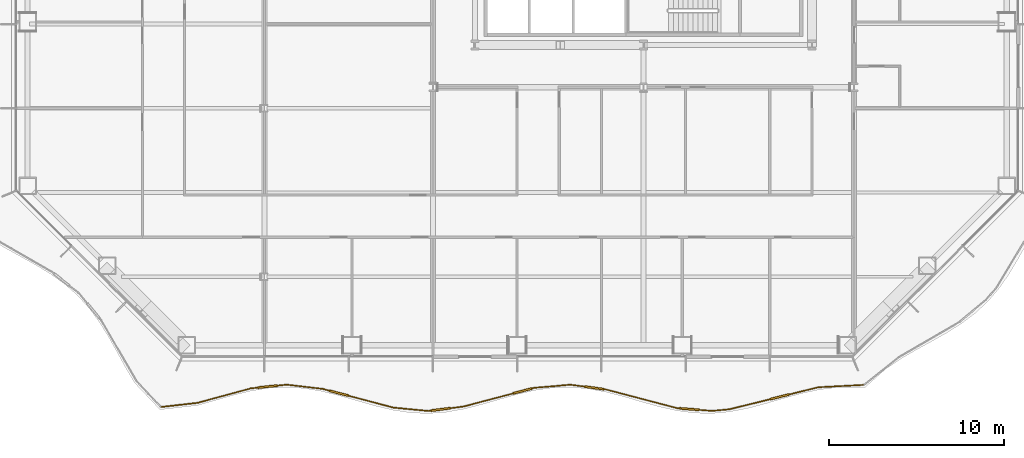
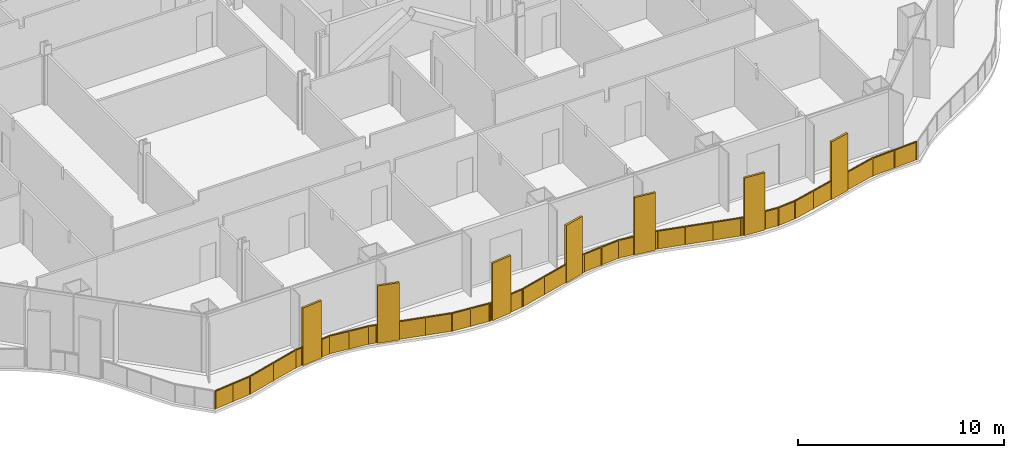
# One storey, part 16 of 21: 1 railing.
"""IFC4 building model written with IfcOpenShell, lengths in metres."""

from ifc_helpers import new_model, si_unit, direction, frame, origin, origin_2d, place, context, subcontext, project, spatial, polyline, rectangle, outline, extrude, material, type_object, element, save


model = new_model("IFC4")

# Units and contexts
model_context = context("Model", 3, precision=1e-05, world=origin(), true_north=direction((0.0, 1.0)))
body_context = subcontext(model_context, "Body", "Model", "MODEL_VIEW")
ifc_project = project(units=[si_unit("LENGTHUNIT", "METRE"), si_unit("AREAUNIT", "SQUARE_METRE"), si_unit("VOLUMEUNIT", "CUBIC_METRE"), si_unit("PLANEANGLEUNIT", "RADIAN"), si_unit("MASSUNIT", "GRAM", prefix="KILO")], contexts=[model_context])

# Site, building, storey
site_placement = place(None, origin())
site = spatial("IfcSite", under=ifc_project, at=site_placement, CompositionType="ELEMENT")
building_placement = place(site_placement, origin())
building = spatial("IfcBuilding", under=site, at=building_placement, Name="Cairn Pilgrim Tower", CompositionType="ELEMENT")
storey_placement = place(building_placement, frame((0.0, 0.0, 54.60009765625)))
storey = spatial("IfcBuildingStorey", under=building, at=storey_placement, Name="L11", CompositionType="ELEMENT", Elevation=54.60009765625)

# Railing
ifc_material = material(Name="Bronze anodised aluminium rail, posts and fin screens with laminated glass infill", Category="aluminium")
railing_type = type_object("IfcRailingType", Name="BALCONY GUARD WITH FIN SCREENS", PredefinedType="GUARDRAIL", material=ifc_material)
railing_placement = place(storey_placement, frame((-20.294189453125, -26.622802734375, 0.0)))
element("IfcRailing", 1, at=railing_placement, inside=storey, type_object=railing_type, Name="Balcony guard BGF-1 with fin screens", PredefinedType="GUARDRAIL", context=body_context, shape_type="SweptSolid", body=[
    extrude(rectangle(XDim=0.050048828125, YDim=0.050048828125, at=origin_2d()), frame((0.0, 0.0, 1.0751953125), z_axis=(0.993585282141, 0.113085309008, 0.0), x_axis=(-0.113085309008, 0.993585282141, 0.0)), (0.0, 0.0, 1.0), 2.08984375),
    extrude(rectangle(XDim=0.050048828125, YDim=0.050048828125, at=origin_2d()), frame((2.076416015625, 0.236328125, 1.0751953125), z_axis=(0.965044785258, 0.26208502904, 0.0), x_axis=(-0.26208502904, 0.965044785258, 0.0)), (0.0, 0.0, 1.0), 3.14208984375),
    extrude(rectangle(XDim=1.10009765625, YDim=0.110107421875, at=origin_2d()), frame((6.07275390625, 1.160400390625, 0.0), z_axis=(0.0, 0.0, 1.0), x_axis=(0.994613321271, 0.103654913782, 0.0)), (0.0, 0.0, 1.0), 3.39990234375),
    extrude(rectangle(XDim=0.050048828125, YDim=0.050048828125, at=origin_2d()), frame((5.108642578125, 1.059814453125, 1.0751953125), z_axis=(0.994613321271, 0.103654913782, 0.0), x_axis=(-0.103654913782, 0.994613321271, 0.0)), (0.0, 0.0, 1.0), 0.41943359375),
    extrude(rectangle(XDim=0.050048828125, YDim=0.050048828125, at=origin_2d()), frame((6.619873046875, 1.21728515625, 1.0751953125), z_axis=(0.994613321271, 0.103654913782, 0.0), x_axis=(-0.103654913782, 0.994613321271, 0.0)), (0.0, 0.0, 1.0), 0.54150390625),
    extrude(rectangle(XDim=0.050048828125, YDim=0.050048828125, at=origin_2d()), frame((7.158447265625, 1.2734375, 1.0751953125), z_axis=(0.993177246604, -0.116614565253, 0.0), x_axis=(0.116614565253, 0.993177246604, 0.0)), (0.0, 0.0, 1.0), 2.062255859375),
    extrude(rectangle(XDim=1.10009765625, YDim=0.110107421875, at=origin_2d()), frame((10.142578125, 0.78564453125, 0.0), z_axis=(0.0, 0.0, 1.0), x_axis=(0.966804610479, -0.255516819712, 0.0)), (0.0, 0.0, 1.0), 3.39990234375),
    extrude(rectangle(XDim=0.050048828125, YDim=0.050048828125, at=origin_2d()), frame((9.20654296875, 1.032958984375, 1.0751953125), z_axis=(0.966804610479, -0.255516819712, 0.0), x_axis=(0.255516819712, 0.966804610479, 0.0)), (0.0, 0.0, 1.0), 0.41796875),
    extrude(rectangle(XDim=0.050048828125, YDim=0.050048828125, at=origin_2d()), frame((10.67431640625, 0.64501953125, 1.0751953125), z_axis=(0.966804610479, -0.255516819712, 0.0), x_axis=(0.255516819712, 0.966804610479, 0.0)), (0.0, 0.0, 1.0), 2.6611328125),
    extrude(rectangle(XDim=0.050048828125, YDim=0.050048828125, at=origin_2d()), frame((13.2470703125, -0.034912109375, 1.0751953125), z_axis=(0.995474063991, -0.095033614687, 0.0), x_axis=(0.095033614687, 0.995474063991, 0.0)), (0.0, 0.0, 1.0), 2.001220703125),
    extrude(rectangle(XDim=1.10009765625, YDim=0.110107421875, at=origin_2d()), frame((15.933837890625, -0.137451171875, 0.0), z_axis=(0.0, 0.0, 1.0), x_axis=(0.99214654602, 0.125080898703, 0.0)), (0.0, 0.0, 1.0), 3.39990234375),
    extrude(rectangle(XDim=0.050048828125, YDim=0.050048828125, at=origin_2d()), frame((15.2392578125, -0.22509765625, 1.0751953125), z_axis=(0.99214654602, 0.125080898703, 0.0), x_axis=(-0.125080898703, 0.99214654602, 0.0)), (0.0, 0.0, 1.0), 0.150146484375),
    extrude(rectangle(XDim=0.050048828125, YDim=0.050048828125, at=origin_2d()), frame((16.4794921875, -0.06884765625, 1.0751953125), z_axis=(0.99214654602, 0.125080898703, 0.0), x_axis=(-0.125080898703, 0.99214654602, 0.0)), (0.0, 0.0, 1.0), 0.76025390625),
    extrude(rectangle(XDim=1.10009765625, YDim=0.110107421875, at=origin_2d()), frame((20.602294921875, 0.9150390625, 0.0), z_axis=(0.0, 0.0, 1.0), x_axis=(0.966920151627, 0.255079243331, 0.0)), (0.0, 0.0, 1.0), 3.39990234375),
    extrude(rectangle(XDim=0.050048828125, YDim=0.050048828125, at=origin_2d()), frame((17.23388671875, 0.0263671875, 1.0751953125), z_axis=(0.966920151627, 0.255079243331, 0.0), x_axis=(-0.255079243331, 0.966920151627, 0.0)), (0.0, 0.0, 1.0), 2.93359375),
    extrude(rectangle(XDim=0.050048828125, YDim=0.050048828125, at=origin_2d()), frame((21.134033203125, 1.05517578125, 1.0751953125), z_axis=(0.966920151627, 0.255079243331, 0.0), x_axis=(-0.255079243331, 0.966920151627, 0.0)), (0.0, 0.0, 1.0), 0.150146484375),
    extrude(rectangle(XDim=0.050048828125, YDim=0.050048828125, at=origin_2d()), frame((21.279052734375, 1.093505859375, 1.0751953125), z_axis=(0.996294259783, 0.086010161746, 0.0), x_axis=(-0.086010161746, 0.996294259783, 0.0)), (0.0, 0.0, 1.0), 2.057861328125),
    extrude(rectangle(XDim=1.10009765625, YDim=0.110107421875, at=origin_2d()), frame((24.682373046875, 1.088623046875, 0.0), z_axis=(0.0, 0.0, 1.0), x_axis=(0.99108379364, -0.133240061485, 0.0)), (0.0, 0.0, 1.0), 3.39990234375),
    extrude(rectangle(XDim=0.050048828125, YDim=0.050048828125, at=origin_2d()), frame((23.329345703125, 1.2705078125, 1.0751953125), z_axis=(0.99108379364, -0.133240061485, 0.0), x_axis=(0.133240061485, 0.99108379364, 0.0)), (0.0, 0.0, 1.0), 0.815185546875),
    extrude(rectangle(XDim=0.050048828125, YDim=0.050048828125, at=origin_2d()), frame((25.2275390625, 1.015380859375, 1.0751953125), z_axis=(0.99108379364, -0.133240061485, 0.0), x_axis=(0.133240061485, 0.99108379364, 0.0)), (0.0, 0.0, 1.0), 0.14990234375),
    extrude(rectangle(XDim=0.050048828125, YDim=0.050048828125, at=origin_2d()), frame((25.3759765625, 0.995361328125, 1.0751953125), z_axis=(0.967112396455, -0.254349390845, 0.0), x_axis=(0.254349390845, 0.967112396455, 0.0)), (0.0, 0.0, 1.0), 4.17529296875),
    extrude(rectangle(XDim=1.10009765625, YDim=0.110107421875, at=origin_2d()), frame((30.112060546875, -0.12060546875, 0.0), z_axis=(0.0, 0.0, 1.0), x_axis=(0.997022097783, -0.077116383037, 0.0)), (0.0, 0.0, 1.0), 3.39990234375),
    extrude(rectangle(XDim=0.050048828125, YDim=0.050048828125, at=origin_2d()), frame((29.4140625, -0.066650390625, 1.0751953125), z_axis=(0.997022097783, -0.077116383037, 0.0), x_axis=(0.077116383037, 0.997022097783, 0.0)), (0.0, 0.0, 1.0), 0.14990234375),
    extrude(rectangle(XDim=0.050048828125, YDim=0.050048828125, at=origin_2d()), frame((30.660400390625, -0.1630859375, 1.0751953125), z_axis=(0.997022097783, -0.077116383037, 0.0), x_axis=(0.077116383037, 0.997022097783, 0.0)), (0.0, 0.0, 1.0), 0.750732421875),
    extrude(rectangle(XDim=0.050048828125, YDim=0.050048828125, at=origin_2d()), frame((31.408935546875, -0.220947265625, 1.0751953125), z_axis=(0.995719697543, 0.092424476876, 0.0), x_axis=(-0.092424476876, 0.995719697543, 0.0)), (0.0, 0.0, 1.0), 0.990478515625),
    extrude(rectangle(XDim=1.10009765625, YDim=0.110107421875, at=origin_2d()), frame((35.2626953125, 0.58203125, 0.0), z_axis=(0.0, 0.0, 1.0), x_axis=(0.970571070207, 0.240814861828, 0.0)), (0.0, 0.0, 1.0), 3.39990234375),
    extrude(rectangle(XDim=0.050048828125, YDim=0.050048828125, at=origin_2d()), frame((32.395263671875, -0.12939453125, 1.0751953125), z_axis=(0.970571070207, 0.240814861828, 0.0), x_axis=(-0.240814861828, 0.970571070207, 0.0)), (0.0, 0.0, 1.0), 2.404296875),
    extrude(rectangle(XDim=0.050048828125, YDim=0.050048828125, at=origin_2d()), frame((35.79638671875, 0.714599609375, 1.0751953125), z_axis=(0.970571070207, 0.240814861828, 0.0), x_axis=(-0.240814861828, 0.970571070207, 0.0)), (0.0, 0.0, 1.0), 1.70458984375),
    extrude(rectangle(XDim=0.050048828125, YDim=0.050048828125, at=origin_2d()), frame((37.450927734375, 1.125, 1.0751953125), z_axis=(0.998649050949, 0.051962227041, 0.0), x_axis=(-0.051962227041, 0.998649050949, 0.0)), (0.0, 0.0, 1.0), 2.555908203125),
    extrude(rectangle(XDim=0.050048828125, YDim=0.050048828125, at=origin_2d()), origin(), (0.0, 0.0, 1.0), 1.050048828125),
    extrude(rectangle(XDim=0.050048828125, YDim=0.050048828125, at=origin_2d()), frame((1.0380859375, 0.1181640625, 0.0)), (0.0, 0.0, 1.0), 1.050048828125),
    extrude(rectangle(XDim=0.050048828125, YDim=0.050048828125, at=origin_2d()), frame((2.076416015625, 0.236328125, 0.0)), (0.0, 0.0, 1.0), 1.050048828125),
    extrude(rectangle(XDim=0.050048828125, YDim=0.050048828125, at=origin_2d()), frame((3.592529296875, 0.64794921875, 0.0)), (0.0, 0.0, 1.0), 1.050048828125),
    extrude(rectangle(XDim=0.050048828125, YDim=0.050048828125, at=origin_2d()), frame((5.108642578125, 1.059814453125, 0.0)), (0.0, 0.0, 1.0), 1.050048828125),
    extrude(rectangle(XDim=0.050048828125, YDim=0.050048828125, at=origin_2d()), frame((5.500732421875, 1.1005859375, 0.0)), (0.0, 0.0, 1.0), 1.050048828125),
    extrude(rectangle(XDim=0.050048828125, YDim=0.050048828125, at=origin_2d()), frame((6.644775390625, 1.219970703125, 0.0)), (0.0, 0.0, 1.0), 1.050048828125),
    extrude(rectangle(XDim=0.050048828125, YDim=0.050048828125, at=origin_2d()), frame((7.158447265625, 1.2734375, 0.0)), (0.0, 0.0, 1.0), 1.050048828125),
    extrude(rectangle(XDim=0.050048828125, YDim=0.050048828125, at=origin_2d()), frame((8.1826171875, 1.1533203125, 0.0)), (0.0, 0.0, 1.0), 1.050048828125),
    extrude(rectangle(XDim=0.050048828125, YDim=0.050048828125, at=origin_2d()), frame((9.20654296875, 1.032958984375, 0.0)), (0.0, 0.0, 1.0), 1.050048828125),
    extrude(rectangle(XDim=0.050048828125, YDim=0.050048828125, at=origin_2d()), frame((9.58642578125, 0.9326171875, 0.0)), (0.0, 0.0, 1.0), 1.050048828125),
    extrude(rectangle(XDim=0.050048828125, YDim=0.050048828125, at=origin_2d()), frame((10.698486328125, 0.638671875, 0.0)), (0.0, 0.0, 1.0), 1.050048828125),
    extrude(rectangle(XDim=0.050048828125, YDim=0.050048828125, at=origin_2d()), frame((11.97265625, 0.302001953125, 0.0)), (0.0, 0.0, 1.0), 1.050048828125),
    extrude(rectangle(XDim=0.050048828125, YDim=0.050048828125, at=origin_2d()), frame((13.2470703125, -0.034912109375, 0.0)), (0.0, 0.0, 1.0), 1.050048828125),
    extrude(rectangle(XDim=0.050048828125, YDim=0.050048828125, at=origin_2d()), frame((14.2431640625, -0.1298828125, 0.0)), (0.0, 0.0, 1.0), 1.050048828125),
    extrude(rectangle(XDim=0.050048828125, YDim=0.050048828125, at=origin_2d()), frame((15.2392578125, -0.22509765625, 0.0)), (0.0, 0.0, 1.0), 1.050048828125),
    extrude(rectangle(XDim=0.050048828125, YDim=0.050048828125, at=origin_2d()), frame((15.36328125, -0.20947265625, 0.0)), (0.0, 0.0, 1.0), 1.050048828125),
    extrude(rectangle(XDim=0.050048828125, YDim=0.050048828125, at=origin_2d()), frame((16.50439453125, -0.065673828125, 0.0)), (0.0, 0.0, 1.0), 1.050048828125),
    extrude(rectangle(XDim=0.050048828125, YDim=0.050048828125, at=origin_2d()), frame((17.23388671875, 0.0263671875, 0.0)), (0.0, 0.0, 1.0), 1.050048828125),
    extrude(rectangle(XDim=0.050048828125, YDim=0.050048828125, at=origin_2d()), frame((18.64013671875, 0.397216796875, 0.0)), (0.0, 0.0, 1.0), 1.050048828125),
    extrude(rectangle(XDim=0.050048828125, YDim=0.050048828125, at=origin_2d()), frame((20.046142578125, 0.768310546875, 0.0)), (0.0, 0.0, 1.0), 1.050048828125),
    extrude(rectangle(XDim=0.050048828125, YDim=0.050048828125, at=origin_2d()), frame((21.158203125, 1.0615234375, 0.0)), (0.0, 0.0, 1.0), 1.050048828125),
    extrude(rectangle(XDim=0.050048828125, YDim=0.050048828125, at=origin_2d()), frame((21.279052734375, 1.093505859375, 0.0)), (0.0, 0.0, 1.0), 1.050048828125),
    extrude(rectangle(XDim=0.050048828125, YDim=0.050048828125, at=origin_2d()), frame((22.30419921875, 1.18212890625, 0.0)), (0.0, 0.0, 1.0), 1.050048828125),
    extrude(rectangle(XDim=0.050048828125, YDim=0.050048828125, at=origin_2d()), frame((23.329345703125, 1.2705078125, 0.0)), (0.0, 0.0, 1.0), 1.050048828125),
    extrude(rectangle(XDim=0.050048828125, YDim=0.050048828125, at=origin_2d()), frame((24.1123046875, 1.165283203125, 0.0)), (0.0, 0.0, 1.0), 1.050048828125),
    extrude(rectangle(XDim=0.050048828125, YDim=0.050048828125, at=origin_2d()), frame((25.252197265625, 1.011962890625, 0.0)), (0.0, 0.0, 1.0), 1.050048828125),
    extrude(rectangle(XDim=0.050048828125, YDim=0.050048828125, at=origin_2d()), frame((25.3759765625, 0.995361328125, 0.0)), (0.0, 0.0, 1.0), 1.050048828125),
    extrude(rectangle(XDim=0.050048828125, YDim=0.050048828125, at=origin_2d()), frame((26.721923828125, 0.641357421875, 0.0)), (0.0, 0.0, 1.0), 1.050048828125),
    extrude(rectangle(XDim=0.050048828125, YDim=0.050048828125, at=origin_2d()), frame((28.068115234375, 0.287353515625, 0.0)), (0.0, 0.0, 1.0), 1.050048828125),
    extrude(rectangle(XDim=0.050048828125, YDim=0.050048828125, at=origin_2d()), frame((29.4140625, -0.066650390625, 0.0)), (0.0, 0.0, 1.0), 1.050048828125),
    extrude(rectangle(XDim=0.050048828125, YDim=0.050048828125, at=origin_2d()), frame((29.53857421875, -0.076171875, 0.0)), (0.0, 0.0, 1.0), 1.050048828125),
    extrude(rectangle(XDim=0.050048828125, YDim=0.050048828125, at=origin_2d()), frame((30.685302734375, -0.1650390625, 0.0)), (0.0, 0.0, 1.0), 1.050048828125),
    extrude(rectangle(XDim=0.050048828125, YDim=0.050048828125, at=origin_2d()), frame((31.408935546875, -0.220947265625, 0.0)), (0.0, 0.0, 1.0), 1.050048828125),
    extrude(rectangle(XDim=0.050048828125, YDim=0.050048828125, at=origin_2d()), frame((32.395263671875, -0.12939453125, 0.0)), (0.0, 0.0, 1.0), 1.050048828125),
    extrude(rectangle(XDim=0.050048828125, YDim=0.050048828125, at=origin_2d()), frame((33.5498046875, 0.156982421875, 0.0)), (0.0, 0.0, 1.0), 1.050048828125),
    extrude(rectangle(XDim=0.050048828125, YDim=0.050048828125, at=origin_2d()), frame((34.70458984375, 0.443603515625, 0.0)), (0.0, 0.0, 1.0), 1.050048828125),
    extrude(rectangle(XDim=0.050048828125, YDim=0.050048828125, at=origin_2d()), frame((35.82080078125, 0.720458984375, 0.0)), (0.0, 0.0, 1.0), 1.050048828125),
    extrude(rectangle(XDim=0.050048828125, YDim=0.050048828125, at=origin_2d()), frame((37.450927734375, 1.125, 0.0)), (0.0, 0.0, 1.0), 1.050048828125),
    extrude(rectangle(XDim=0.050048828125, YDim=0.050048828125, at=origin_2d()), frame((38.72705078125, 1.19140625, 0.0)), (0.0, 0.0, 1.0), 1.050048828125),
    extrude(rectangle(XDim=0.050048828125, YDim=0.050048828125, at=origin_2d()), frame((40.00341796875, 1.2578125, 0.0)), (0.0, 0.0, 1.0), 1.050048828125),
    extrude(outline(polyline([(0.02490234375, 0.0), (1.019775390625, 0.0), (1.019775390625, 1.050048828125), (0.02490234375, 1.050048828125), (0.02490234375, 0.0)])), frame((-0.000732421875, 0.005859375, 0.0), z_axis=(0.113085309008, -0.993585282141, 0.0), x_axis=(0.993585282141, 0.113085309008, 0.0)), (0.0, 0.0, 1.0), 0.011962890625),
    extrude(outline(polyline([(0.02490234375, 0.0), (1.019775390625, 0.0), (1.019775390625, 1.050048828125), (0.02490234375, 1.050048828125), (0.02490234375, 0.0)])), frame((1.03759765625, 0.1240234375, 0.0), z_axis=(0.113085309008, -0.993585282141, 0.0), x_axis=(0.993585282141, 0.113085309008, 0.0)), (0.0, 0.0, 1.0), 0.011962890625),
    extrude(outline(polyline([(0.02490234375, 0.0), (1.5458984375, 0.0), (1.5458984375, 1.050048828125), (0.02490234375, 1.050048828125), (0.02490234375, 0.0)])), frame((2.074951171875, 0.2421875, 0.0), z_axis=(0.26208502904, -0.965044785258, 0.0), x_axis=(0.965044785258, 0.26208502904, 0.0)), (0.0, 0.0, 1.0), 0.011962890625),
    extrude(outline(polyline([(0.02490234375, 0.0), (1.5458984375, 0.0), (1.5458984375, 1.050048828125), (0.02490234375, 1.050048828125), (0.02490234375, 0.0)])), frame((3.591064453125, 0.65380859375, 0.0), z_axis=(0.26208502904, -0.965044785258, 0.0), x_axis=(0.965044785258, 0.26208502904, 0.0)), (0.0, 0.0, 1.0), 0.011962890625),
    extrude(outline(polyline([(0.02490234375, 0.0), (0.369384765625, 0.0), (0.369384765625, 1.050048828125), (0.02490234375, 1.050048828125), (0.02490234375, 0.0)])), frame((5.10791015625, 1.065673828125, 0.0), z_axis=(0.103654913782, -0.994613321271, 0.0), x_axis=(0.994613321271, 0.103654913782, 0.0)), (0.0, 0.0, 1.0), 0.011962890625),
    extrude(outline(polyline([(0.02490234375, 0.0), (0.491455078125, 0.0), (0.491455078125, 1.050048828125), (0.02490234375, 1.050048828125), (0.02490234375, 0.0)])), frame((6.64404296875, 1.225830078125, 0.0), z_axis=(0.103654913782, -0.994613321271, 0.0), x_axis=(0.994613321271, 0.103654913782, 0.0)), (0.0, 0.0, 1.0), 0.011962890625),
    extrude(outline(polyline([(0.02490234375, 0.0), (1.006103515625, 0.0), (1.006103515625, 1.050048828125), (0.02490234375, 1.050048828125), (0.02490234375, 0.0)])), frame((7.1591796875, 1.279296875, 0.0), z_axis=(-0.116614565253, -0.993177246604, 0.0), x_axis=(0.993177246604, -0.116614565253, 0.0)), (0.0, 0.0, 1.0), 0.011962890625),
    extrude(outline(polyline([(0.02490234375, 0.0), (1.006103515625, 0.0), (1.006103515625, 1.050048828125), (0.02490234375, 1.050048828125), (0.02490234375, 0.0)])), frame((8.18310546875, 1.1591796875, 0.0), z_axis=(-0.116614565253, -0.993177246604, 0.0), x_axis=(0.993177246604, -0.116614565253, 0.0)), (0.0, 0.0, 1.0), 0.011962890625),
    extrude(outline(polyline([(0.02490234375, 0.0), (0.367919921875, 0.0), (0.367919921875, 1.050048828125), (0.02490234375, 1.050048828125), (0.02490234375, 0.0)])), frame((9.2080078125, 1.038818359375, 0.0), z_axis=(-0.255516819712, -0.966804610479, 0.0), x_axis=(0.966804610479, -0.255516819712, 0.0)), (0.0, 0.0, 1.0), 0.011962890625),
    extrude(outline(polyline([(0.02490234375, 0.0), (1.29296875, 0.0), (1.29296875, 1.050048828125), (0.02490234375, 1.050048828125), (0.02490234375, 0.0)])), frame((10.699951171875, 0.64453125, 0.0), z_axis=(-0.255516819712, -0.966804610479, 0.0), x_axis=(0.966804610479, -0.255516819712, 0.0)), (0.0, 0.0, 1.0), 0.011962890625),
    extrude(outline(polyline([(0.02490234375, 0.0), (1.29296875, 0.0), (1.29296875, 1.050048828125), (0.02490234375, 1.050048828125), (0.02490234375, 0.0)])), frame((11.974365234375, 0.3076171875, 0.0), z_axis=(-0.255516819712, -0.966804610479, 0.0), x_axis=(0.966804610479, -0.255516819712, 0.0)), (0.0, 0.0, 1.0), 0.011962890625),
    extrude(outline(polyline([(0.02490234375, 0.0), (0.9755859375, 0.0), (0.9755859375, 1.050048828125), (0.02490234375, 1.050048828125), (0.02490234375, 0.0)])), frame((13.24755859375, -0.029052734375, 0.0), z_axis=(-0.095033614687, -0.995474063991, 0.0), x_axis=(0.995474063991, -0.095033614687, 0.0)), (0.0, 0.0, 1.0), 0.011962890625),
    extrude(outline(polyline([(0.02490234375, 0.0), (0.9755859375, 0.0), (0.9755859375, 1.050048828125), (0.02490234375, 1.050048828125), (0.02490234375, 0.0)])), frame((14.24365234375, -0.1240234375, 0.0), z_axis=(-0.095033614687, -0.995474063991, 0.0), x_axis=(0.995474063991, -0.095033614687, 0.0)), (0.0, 0.0, 1.0), 0.011962890625),
    extrude(outline(polyline([(0.02490234375, 0.0), (0.10009765625, 0.0), (0.10009765625, 1.050048828125), (0.02490234375, 1.050048828125), (0.02490234375, 0.0)])), frame((15.238525390625, -0.21923828125, 0.0), z_axis=(0.125080898703, -0.99214654602, 0.0), x_axis=(0.99214654602, 0.125080898703, 0.0)), (0.0, 0.0, 1.0), 0.011962890625),
    extrude(outline(polyline([(0.02490234375, 0.0), (0.710205078125, 0.0), (0.710205078125, 1.050048828125), (0.02490234375, 1.050048828125), (0.02490234375, 0.0)])), frame((16.503662109375, -0.0595703125, 0.0), z_axis=(0.125080898703, -0.99214654602, 0.0), x_axis=(0.99214654602, 0.125080898703, 0.0)), (0.0, 0.0, 1.0), 0.011962890625),
    extrude(outline(polyline([(0.02490234375, 0.0), (1.42919921875, 0.0), (1.42919921875, 1.050048828125), (0.02490234375, 1.050048828125), (0.02490234375, 0.0)])), frame((17.232421875, 0.0322265625, 0.0), z_axis=(0.255079243331, -0.966920151627, 0.0), x_axis=(0.966920151627, 0.255079243331, 0.0)), (0.0, 0.0, 1.0), 0.011962890625),
    extrude(outline(polyline([(0.02490234375, 0.0), (1.42919921875, 0.0), (1.42919921875, 1.050048828125), (0.02490234375, 1.050048828125), (0.02490234375, 0.0)])), frame((18.638427734375, 0.403076171875, 0.0), z_axis=(0.255079243331, -0.966920151627, 0.0), x_axis=(0.966920151627, 0.255079243331, 0.0)), (0.0, 0.0, 1.0), 0.011962890625),
    extrude(outline(polyline([(0.02490234375, 0.0), (0.10009765625, 0.0), (0.10009765625, 1.050048828125), (0.02490234375, 1.050048828125), (0.02490234375, 0.0)])), frame((21.15673828125, 1.0673828125, 0.0), z_axis=(0.255079243331, -0.966920151627, 0.0), x_axis=(0.966920151627, 0.255079243331, 0.0)), (0.0, 0.0, 1.0), 0.011962890625),
    extrude(outline(polyline([(0.02490234375, 0.0), (1.00390625, 0.0), (1.00390625, 1.050048828125), (0.02490234375, 1.050048828125), (0.02490234375, 0.0)])), frame((21.278564453125, 1.099365234375, 0.0), z_axis=(0.086010161746, -0.996294259783, 0.0), x_axis=(0.996294259783, 0.086010161746, 0.0)), (0.0, 0.0, 1.0), 0.011962890625),
    extrude(outline(polyline([(0.02490234375, 0.0), (1.00390625, 0.0), (1.00390625, 1.050048828125), (0.02490234375, 1.050048828125), (0.02490234375, 0.0)])), frame((22.3037109375, 1.18798828125, 0.0), z_axis=(0.086010161746, -0.996294259783, 0.0), x_axis=(0.996294259783, 0.086010161746, 0.0)), (0.0, 0.0, 1.0), 0.011962890625),
    extrude(outline(polyline([(0.02490234375, 0.0), (0.76513671875, 0.0), (0.76513671875, 1.050048828125), (0.02490234375, 1.050048828125), (0.02490234375, 0.0)])), frame((23.330078125, 1.2763671875, 0.0), z_axis=(-0.133240061485, -0.99108379364, 0.0), x_axis=(0.99108379364, -0.133240061485, 0.0)), (0.0, 0.0, 1.0), 0.011962890625),
    extrude(outline(polyline([(0.02490234375, 0.0), (0.099853515625, 0.0), (0.099853515625, 1.050048828125), (0.02490234375, 1.050048828125), (0.02490234375, 0.0)])), frame((25.2529296875, 1.017822265625, 0.0), z_axis=(-0.133240061485, -0.99108379364, 0.0), x_axis=(0.99108379364, -0.133240061485, 0.0)), (0.0, 0.0, 1.0), 0.011962890625),
    extrude(outline(polyline([(0.02490234375, 0.0), (1.36669921875, 0.0), (1.36669921875, 1.050048828125), (0.02490234375, 1.050048828125), (0.02490234375, 0.0)])), frame((25.37744140625, 1.001220703125, 0.0), z_axis=(-0.254349390845, -0.967112396455, 0.0), x_axis=(0.967112396455, -0.254349390845, 0.0)), (0.0, 0.0, 1.0), 0.011962890625),
    extrude(outline(polyline([(0.02490234375, 0.0), (1.36669921875, 0.0), (1.36669921875, 1.050048828125), (0.02490234375, 1.050048828125), (0.02490234375, 0.0)])), frame((26.7236328125, 0.647216796875, 0.0), z_axis=(-0.254349390845, -0.967112396455, 0.0), x_axis=(0.967112396455, -0.254349390845, 0.0)), (0.0, 0.0, 1.0), 0.011962890625),
    extrude(outline(polyline([(0.02490234375, 0.0), (1.36669921875, 0.0), (1.36669921875, 1.050048828125), (0.02490234375, 1.050048828125), (0.02490234375, 0.0)])), frame((28.069580078125, 0.293212890625, 0.0), z_axis=(-0.254349390845, -0.967112396455, 0.0), x_axis=(0.967112396455, -0.254349390845, 0.0)), (0.0, 0.0, 1.0), 0.011962890625),
    extrude(outline(polyline([(0.02490234375, 0.0), (0.099853515625, 0.0), (0.099853515625, 1.050048828125), (0.02490234375, 1.050048828125), (0.02490234375, 0.0)])), frame((29.41455078125, -0.060791015625, 0.0), z_axis=(-0.077116383037, -0.997022097783, 0.0), x_axis=(0.997022097783, -0.077116383037, 0.0)), (0.0, 0.0, 1.0), 0.011962890625),
    extrude(outline(polyline([(0.02490234375, 0.0), (0.70068359375, 0.0), (0.70068359375, 1.050048828125), (0.02490234375, 1.050048828125), (0.02490234375, 0.0)])), frame((30.685791015625, -0.158935546875, 0.0), z_axis=(-0.077116383037, -0.997022097783, 0.0), x_axis=(0.997022097783, -0.077116383037, 0.0)), (0.0, 0.0, 1.0), 0.011962890625),
    extrude(outline(polyline([(0.02490234375, 0.0), (0.965576171875, 0.0), (0.965576171875, 1.050048828125), (0.02490234375, 1.050048828125), (0.02490234375, 0.0)])), frame((31.408447265625, -0.215087890625, 0.0), z_axis=(0.092424476876, -0.995719697543, 0.0), x_axis=(0.995719697543, 0.092424476876, 0.0)), (0.0, 0.0, 1.0), 0.011962890625),
    extrude(outline(polyline([(0.02490234375, 0.0), (1.16455078125, 0.0), (1.16455078125, 1.050048828125), (0.02490234375, 1.050048828125), (0.02490234375, 0.0)])), frame((32.393798828125, -0.12353515625, 0.0), z_axis=(0.240814861828, -0.970571070207, 0.0), x_axis=(0.970571070207, 0.240814861828, 0.0)), (0.0, 0.0, 1.0), 0.011962890625),
    extrude(outline(polyline([(0.02490234375, 0.0), (1.16455078125, 0.0), (1.16455078125, 1.050048828125), (0.02490234375, 1.050048828125), (0.02490234375, 0.0)])), frame((33.54833984375, 0.162841796875, 0.0), z_axis=(0.240814861828, -0.970571070207, 0.0), x_axis=(0.970571070207, 0.240814861828, 0.0)), (0.0, 0.0, 1.0), 0.011962890625),
    extrude(outline(polyline([(0.02490234375, 0.0), (1.654541015625, 0.0), (1.654541015625, 1.050048828125), (0.02490234375, 1.050048828125), (0.02490234375, 0.0)])), frame((35.8193359375, 0.726318359375, 0.0), z_axis=(0.240814861828, -0.970571070207, 0.0), x_axis=(0.970571070207, 0.240814861828, 0.0)), (0.0, 0.0, 1.0), 0.011962890625),
    extrude(outline(polyline([(0.02490234375, 0.0), (1.2529296875, 0.0), (1.2529296875, 1.050048828125), (0.02490234375, 1.050048828125), (0.02490234375, 0.0)])), frame((37.45068359375, 1.130859375, 0.0), z_axis=(0.051962227041, -0.998649050949, 0.0), x_axis=(0.998649050949, 0.051962227041, 0.0)), (0.0, 0.0, 1.0), 0.011962890625),
    extrude(outline(polyline([(0.02490234375, 0.0), (1.2529296875, 0.0), (1.2529296875, 1.050048828125), (0.02490234375, 1.050048828125), (0.02490234375, 0.0)])), frame((38.726806640625, 1.197265625, 0.0), z_axis=(0.051962227041, -0.998649050949, 0.0), x_axis=(0.998649050949, 0.051962227041, 0.0)), (0.0, 0.0, 1.0), 0.011962890625),
])

save(model, "model.ifc")
